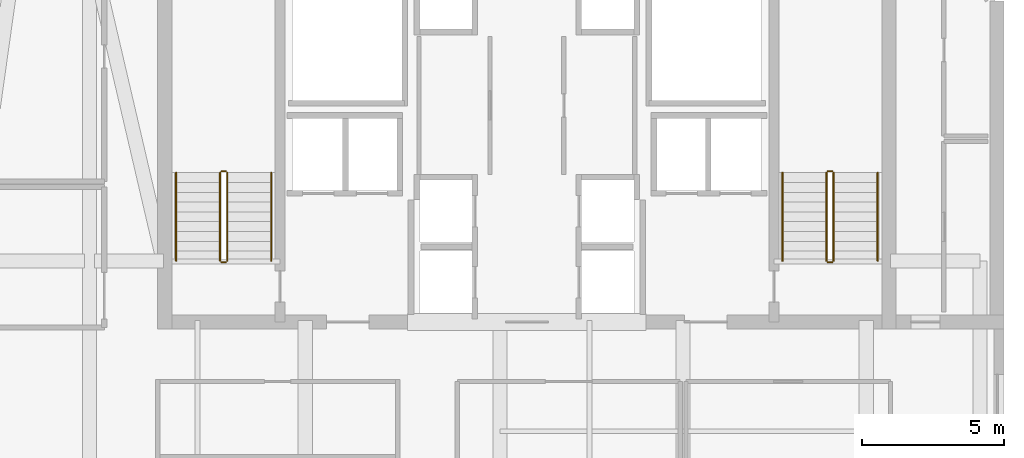
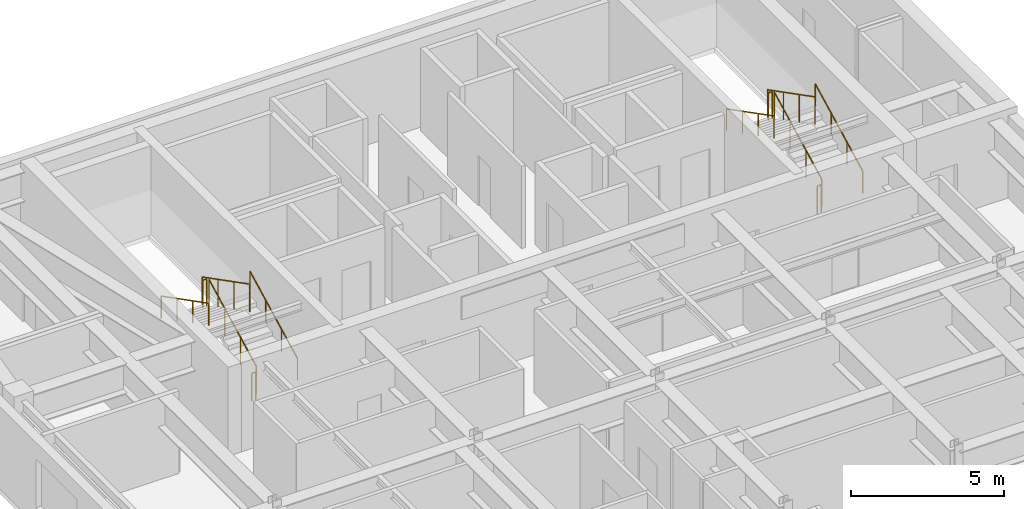
# One storey, part 8 of 8: 12 railings.
"""IFC4 building model written with IfcOpenShell, lengths in metres."""

from ifc_helpers import new_model, si_unit, direction, frame, origin, origin_2d, place, context, subcontext, project, spatial, circle, extrude, material, type_object, element, save


model = new_model("IFC4")

# Units and contexts
model_context = context("Model", 3, precision=1e-05, world=origin(), true_north=direction((0.0, 1.0)))
body_context = subcontext(model_context, "Body", "Model", "MODEL_VIEW")
ifc_project = project(units=[si_unit("LENGTHUNIT", "METRE"), si_unit("AREAUNIT", "SQUARE_METRE"), si_unit("VOLUMEUNIT", "CUBIC_METRE"), si_unit("PLANEANGLEUNIT", "RADIAN"), si_unit("MASSUNIT", "GRAM", prefix="KILO")], contexts=[model_context])

# Site, building, storey
site_placement = place(None, origin())
site = spatial("IfcSite", under=ifc_project, at=site_placement, CompositionType="ELEMENT")
building_placement = place(site_placement, origin())
building = spatial("IfcBuilding", under=site, at=building_placement, Name="Tolvann Quenvar Hotel", CompositionType="ELEMENT")
storey_placement = place(building_placement, frame((0.0, 0.0, 238.10009765625)))
storey = spatial("IfcBuildingStorey", under=building, at=storey_placement, Name="L63", CompositionType="ELEMENT", Elevation=238.10009765625)

# Railings
ifc_material = material(Name="Brushed 316 stainless steel balustrade and handrail", Category="steel")
railing_type_1 = type_object("IfcRailingType", Name="GUARDRAIL", PredefinedType="GUARDRAIL", material=ifc_material)
railing_1_placement = place(storey_placement, frame((12.449951171875, 34.0, 0.177490234375)))
element("IfcRailing", 1, at=railing_1_placement, inside=storey, type_object=railing_type_1, Name="L63 ST-C1 stair guard 1", PredefinedType="GUARDRAIL", context=body_context, shape_type="SweptSolid", body=[
    extrude(circle(Radius=0.02392578125, at=origin_2d()), frame((0.0, 0.0, 1.09619140625), z_axis=(0.0, 0.889221982265, 0.45747597342), x_axis=(-1.0, 0.0, 0.0)), (0.0, 0.0, 1.0), 3.49169921875),
    extrude(circle(Radius=0.02099609375, at=origin_2d()), origin(), (0.0, 0.0, 1.0), 1.072021484375),
    extrude(circle(Radius=0.02099609375, at=origin_2d()), frame((0.0, 1.034912109375, 0.532470703125)), (0.0, 0.0, 1.0), 1.072021484375),
    extrude(circle(Radius=0.02099609375, at=origin_2d()), frame((0.0, 2.070068359375, 1.06494140625)), (0.0, 0.0, 1.0), 1.072021484375),
    extrude(circle(Radius=0.02099609375, at=origin_2d()), frame((0.0, 3.10498046875, 1.597412109375)), (0.0, 0.0, 1.0), 1.072021484375),
])
railing_2_placement = place(storey_placement, frame((12.39990234375, 37.155029296875, 1.77490234375)))
element("IfcRailing", 2, at=railing_2_placement, inside=storey, type_object=railing_type_1, Name="L63 ST-C1 stair guard 2", PredefinedType="GUARDRAIL", context=body_context, shape_type="SweptSolid", body=[
    extrude(circle(Radius=0.02392578125, at=origin_2d()), frame((0.0, 0.0, 1.09619140625), z_axis=(-1.0, 0.0, 0.0), x_axis=(0.0, -1.0, 0.0)), (0.0, 0.0, 1.0), 0.14990234375),
    extrude(circle(Radius=0.02099609375, at=origin_2d()), origin(), (0.0, 0.0, 1.0), 1.072021484375),
    extrude(circle(Radius=0.02099609375, at=origin_2d()), frame((-0.14990234375, 0.0, 0.0)), (0.0, 0.0, 1.0), 1.072021484375),
])
railing_3_placement = place(storey_placement, frame((12.199951171875, 37.10498046875, 1.952392578125)))
element("IfcRailing", 3, at=railing_3_placement, inside=storey, type_object=railing_type_1, Name="L63 ST-C1 stair guard 3", PredefinedType="GUARDRAIL", context=body_context, shape_type="SweptSolid", body=[
    extrude(circle(Radius=0.02392578125, at=origin_2d()), frame((0.0, 0.0, 1.09619140625), z_axis=(0.0, -0.889221982265, 0.45747597342), x_axis=(1.0, 0.0, 0.0)), (0.0, 0.0, 1.0), 3.49169921875),
    extrude(circle(Radius=0.02099609375, at=origin_2d()), origin(), (0.0, 0.0, 1.0), 1.072021484375),
    extrude(circle(Radius=0.02099609375, at=origin_2d()), frame((0.0, -1.034912109375, 0.532470703125)), (0.0, 0.0, 1.0), 1.072021484375),
    extrude(circle(Radius=0.02099609375, at=origin_2d()), frame((0.0, -2.070068359375, 1.06494140625)), (0.0, 0.0, 1.0), 1.072021484375),
    extrude(circle(Radius=0.02099609375, at=origin_2d()), frame((0.0, -3.10498046875, 1.597412109375)), (0.0, 0.0, 1.0), 1.072021484375),
])
railing_4_placement = place(storey_placement, frame((12.39990234375, 33.949951171875, 0.0)))
element("IfcRailing", 4, at=railing_4_placement, inside=storey, type_object=railing_type_1, Name="L63 ST-C1 stair guard 4", PredefinedType="GUARDRAIL", context=body_context, shape_type="SweptSolid", body=[
    extrude(circle(Radius=0.02392578125, at=origin_2d()), frame((0.0, 0.0, 1.09619140625), z_axis=(-1.0, 0.0, 0.0), x_axis=(0.0, -1.0, 0.0)), (0.0, 0.0, 1.0), 0.14990234375),
    extrude(circle(Radius=0.02099609375, at=origin_2d()), origin(), (0.0, 0.0, 1.0), 1.072021484375),
    extrude(circle(Radius=0.02099609375, at=origin_2d()), frame((-0.14990234375, 0.0, 0.0)), (0.0, 0.0, 1.0), 1.072021484375),
])
railing_5_placement = place(storey_placement, frame((33.800048828125, 34.0, 0.177490234375)))
element("IfcRailing", 5, at=railing_5_placement, inside=storey, type_object=railing_type_1, Name="L63 ST-C2 stair guard 1", PredefinedType="GUARDRAIL", context=body_context, shape_type="SweptSolid", body=[
    extrude(circle(Radius=0.02392578125, at=origin_2d()), frame((0.0, 0.0, 1.09619140625), z_axis=(0.0, 0.889221982265, 0.45747597342), x_axis=(-1.0, 0.0, 0.0)), (0.0, 0.0, 1.0), 3.49169921875),
    extrude(circle(Radius=0.02099609375, at=origin_2d()), origin(), (0.0, 0.0, 1.0), 1.072021484375),
    extrude(circle(Radius=0.02099609375, at=origin_2d()), frame((0.0, 1.034912109375, 0.532470703125)), (0.0, 0.0, 1.0), 1.072021484375),
    extrude(circle(Radius=0.02099609375, at=origin_2d()), frame((0.0, 2.070068359375, 1.06494140625)), (0.0, 0.0, 1.0), 1.072021484375),
    extrude(circle(Radius=0.02099609375, at=origin_2d()), frame((0.0, 3.10498046875, 1.597412109375)), (0.0, 0.0, 1.0), 1.072021484375),
])
railing_6_placement = place(storey_placement, frame((33.75, 37.155029296875, 1.77490234375)))
element("IfcRailing", 6, at=railing_6_placement, inside=storey, type_object=railing_type_1, Name="L63 ST-C2 stair guard 2", PredefinedType="GUARDRAIL", context=body_context, shape_type="SweptSolid", body=[
    extrude(circle(Radius=0.02392578125, at=origin_2d()), frame((0.0, 0.0, 1.09619140625), z_axis=(-1.0, 0.0, 0.0), x_axis=(0.0, -1.0, 0.0)), (0.0, 0.0, 1.0), 0.14990234375),
    extrude(circle(Radius=0.02099609375, at=origin_2d()), origin(), (0.0, 0.0, 1.0), 1.072021484375),
    extrude(circle(Radius=0.02099609375, at=origin_2d()), frame((-0.14990234375, 0.0, 0.0)), (0.0, 0.0, 1.0), 1.072021484375),
])
railing_7_placement = place(storey_placement, frame((33.550048828125, 37.10498046875, 1.952392578125)))
element("IfcRailing", 7, at=railing_7_placement, inside=storey, type_object=railing_type_1, Name="L63 ST-C2 stair guard 3", PredefinedType="GUARDRAIL", context=body_context, shape_type="SweptSolid", body=[
    extrude(circle(Radius=0.02392578125, at=origin_2d()), frame((0.0, 0.0, 1.09619140625), z_axis=(0.0, -0.889221982265, 0.45747597342), x_axis=(1.0, 0.0, 0.0)), (0.0, 0.0, 1.0), 3.49169921875),
    extrude(circle(Radius=0.02099609375, at=origin_2d()), origin(), (0.0, 0.0, 1.0), 1.072021484375),
    extrude(circle(Radius=0.02099609375, at=origin_2d()), frame((0.0, -1.034912109375, 0.532470703125)), (0.0, 0.0, 1.0), 1.072021484375),
    extrude(circle(Radius=0.02099609375, at=origin_2d()), frame((0.0, -2.070068359375, 1.06494140625)), (0.0, 0.0, 1.0), 1.072021484375),
    extrude(circle(Radius=0.02099609375, at=origin_2d()), frame((0.0, -3.10498046875, 1.597412109375)), (0.0, 0.0, 1.0), 1.072021484375),
])
railing_8_placement = place(storey_placement, frame((33.75, 33.949951171875, 0.0)))
element("IfcRailing", 8, at=railing_8_placement, inside=storey, type_object=railing_type_1, Name="L63 ST-C2 stair guard 4", PredefinedType="GUARDRAIL", context=body_context, shape_type="SweptSolid", body=[
    extrude(circle(Radius=0.02392578125, at=origin_2d()), frame((0.0, 0.0, 1.09619140625), z_axis=(-1.0, 0.0, 0.0), x_axis=(0.0, -1.0, 0.0)), (0.0, 0.0, 1.0), 0.14990234375),
    extrude(circle(Radius=0.02099609375, at=origin_2d()), origin(), (0.0, 0.0, 1.0), 1.072021484375),
    extrude(circle(Radius=0.02099609375, at=origin_2d()), frame((-0.14990234375, 0.0, 0.0)), (0.0, 0.0, 1.0), 1.072021484375),
])
railing_type_2 = type_object("IfcRailingType", Name="HANDRAIL", PredefinedType="HANDRAIL", material=ifc_material)
railing_9_placement = place(storey_placement, frame((14.0, 34.0, 0.177490234375)))
element("IfcRailing", 9, at=railing_9_placement, inside=storey, type_object=railing_type_2, Name="L63 ST-C1 stair handrail 1", PredefinedType="HANDRAIL", context=body_context, shape_type="SweptSolid", body=[
    extrude(circle(Radius=0.02392578125, at=origin_2d()), frame((0.0, 0.0, 0.8759765625), z_axis=(0.0, 0.889221982265, 0.45747597342), x_axis=(-1.0, 0.0, 0.0)), (0.0, 0.0, 1.0), 3.49169921875),
    extrude(circle(Radius=0.02099609375, at=origin_2d()), origin(), (0.0, 0.0, 1.0), 0.851806640625),
    extrude(circle(Radius=0.02099609375, at=origin_2d()), frame((0.0, 1.034912109375, 0.532470703125)), (0.0, 0.0, 1.0), 0.851806640625),
    extrude(circle(Radius=0.02099609375, at=origin_2d()), frame((0.0, 2.070068359375, 1.06494140625)), (0.0, 0.0, 1.0), 0.851806640625),
    extrude(circle(Radius=0.02099609375, at=origin_2d()), frame((0.0, 3.10498046875, 1.597412109375)), (0.0, 0.0, 1.0), 0.851806640625),
])
railing_10_placement = place(storey_placement, frame((10.64990234375, 37.10498046875, 1.952392578125)))
element("IfcRailing", 10, at=railing_10_placement, inside=storey, type_object=railing_type_2, Name="L63 ST-C1 stair handrail 2", PredefinedType="HANDRAIL", context=body_context, shape_type="SweptSolid", body=[
    extrude(circle(Radius=0.02392578125, at=origin_2d()), frame((0.0, 0.0, 0.8759765625), z_axis=(0.0, -0.889221982265, 0.45747597342), x_axis=(1.0, 0.0, 0.0)), (0.0, 0.0, 1.0), 3.49169921875),
    extrude(circle(Radius=0.02099609375, at=origin_2d()), origin(), (0.0, 0.0, 1.0), 0.851806640625),
    extrude(circle(Radius=0.02099609375, at=origin_2d()), frame((0.0, -1.034912109375, 0.532470703125)), (0.0, 0.0, 1.0), 0.851806640625),
    extrude(circle(Radius=0.02099609375, at=origin_2d()), frame((0.0, -2.070068359375, 1.06494140625)), (0.0, 0.0, 1.0), 0.851806640625),
    extrude(circle(Radius=0.02099609375, at=origin_2d()), frame((0.0, -3.10498046875, 1.597412109375)), (0.0, 0.0, 1.0), 0.851806640625),
])
railing_11_placement = place(storey_placement, frame((35.35009765625, 34.0, 0.177490234375)))
element("IfcRailing", 11, at=railing_11_placement, inside=storey, type_object=railing_type_2, Name="L63 ST-C2 stair handrail 1", PredefinedType="HANDRAIL", context=body_context, shape_type="SweptSolid", body=[
    extrude(circle(Radius=0.02392578125, at=origin_2d()), frame((0.0, 0.0, 0.8759765625), z_axis=(0.0, 0.889221982265, 0.45747597342), x_axis=(-1.0, 0.0, 0.0)), (0.0, 0.0, 1.0), 3.49169921875),
    extrude(circle(Radius=0.02099609375, at=origin_2d()), origin(), (0.0, 0.0, 1.0), 0.851806640625),
    extrude(circle(Radius=0.02099609375, at=origin_2d()), frame((0.0, 1.034912109375, 0.532470703125)), (0.0, 0.0, 1.0), 0.851806640625),
    extrude(circle(Radius=0.02099609375, at=origin_2d()), frame((0.0, 2.070068359375, 1.06494140625)), (0.0, 0.0, 1.0), 0.851806640625),
    extrude(circle(Radius=0.02099609375, at=origin_2d()), frame((0.0, 3.10498046875, 1.597412109375)), (0.0, 0.0, 1.0), 0.851806640625),
])
railing_12_placement = place(storey_placement, frame((32.0, 37.10498046875, 1.952392578125)))
element("IfcRailing", 12, at=railing_12_placement, inside=storey, type_object=railing_type_2, Name="L63 ST-C2 stair handrail 2", PredefinedType="HANDRAIL", context=body_context, shape_type="SweptSolid", body=[
    extrude(circle(Radius=0.02392578125, at=origin_2d()), frame((0.0, 0.0, 0.8759765625), z_axis=(0.0, -0.889221982265, 0.45747597342), x_axis=(1.0, 0.0, 0.0)), (0.0, 0.0, 1.0), 3.49169921875),
    extrude(circle(Radius=0.02099609375, at=origin_2d()), origin(), (0.0, 0.0, 1.0), 0.851806640625),
    extrude(circle(Radius=0.02099609375, at=origin_2d()), frame((0.0, -1.034912109375, 0.532470703125)), (0.0, 0.0, 1.0), 0.851806640625),
    extrude(circle(Radius=0.02099609375, at=origin_2d()), frame((0.0, -2.070068359375, 1.06494140625)), (0.0, 0.0, 1.0), 0.851806640625),
    extrude(circle(Radius=0.02099609375, at=origin_2d()), frame((0.0, -3.10498046875, 1.597412109375)), (0.0, 0.0, 1.0), 0.851806640625),
])

save(model, "model.ifc")
